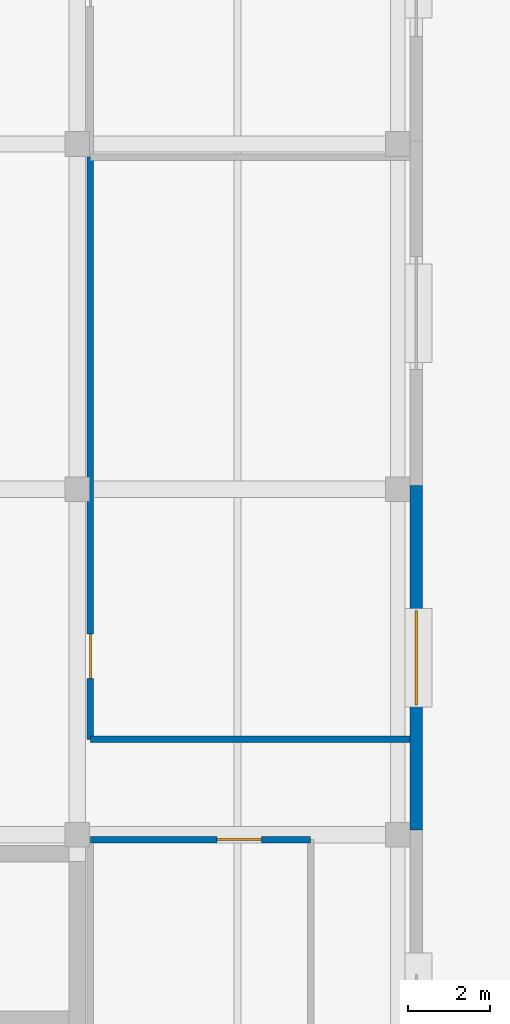
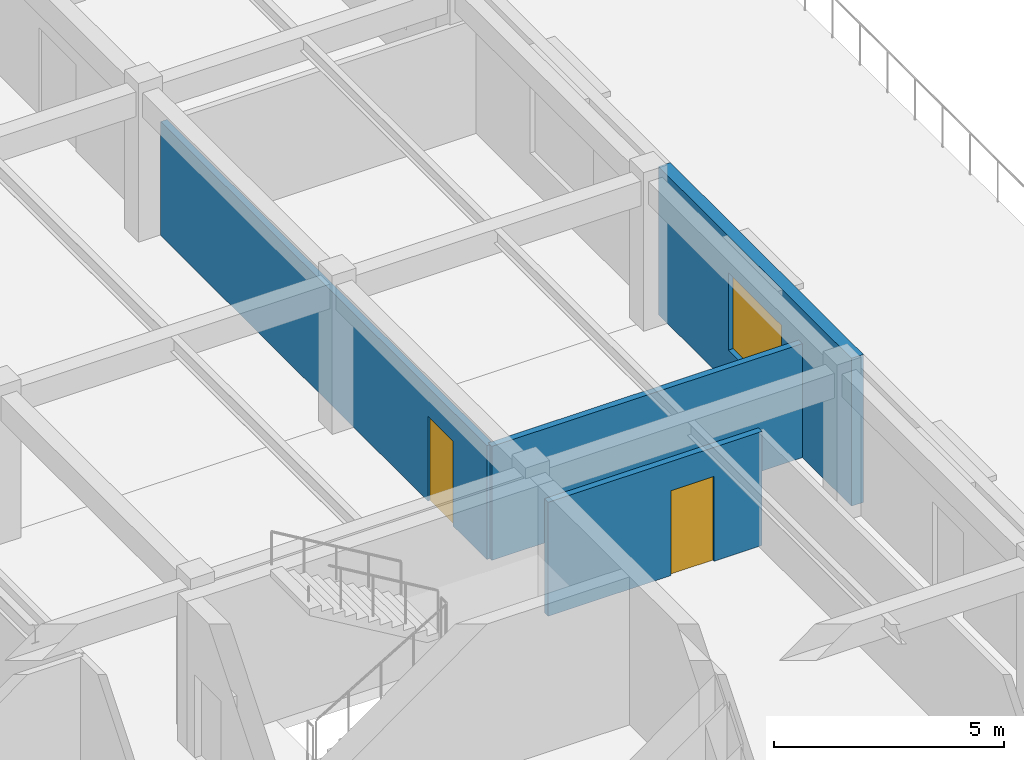
# One storey, part 105 of 127: 4 walls, 2 doors, 1 window, 3 openings.
"""IFC4 building model written with IfcOpenShell, lengths in metres."""

from ifc_helpers import new_model, si_unit, direction, frame, frame_2d, origin, place, context, subcontext, project, spatial, rectangle, extrude, material, layer, layer_set, type_object, element, fill, save


model = new_model("IFC4")

# Units and contexts
model_context = context("Model", 3, precision=1e-05, world=origin(), true_north=direction((0.0, 1.0)))
body_context = subcontext(model_context, "Body", "Model", "MODEL_VIEW")
ifc_project = project(units=[si_unit("LENGTHUNIT", "METRE"), si_unit("AREAUNIT", "SQUARE_METRE"), si_unit("VOLUMEUNIT", "CUBIC_METRE"), si_unit("PLANEANGLEUNIT", "RADIAN"), si_unit("MASSUNIT", "GRAM", prefix="KILO")], contexts=[model_context])

# Site, building, storey
site_placement = place(None, origin())
site = spatial("IfcSite", under=ifc_project, at=site_placement, CompositionType="ELEMENT")
building_placement = place(site_placement, origin())
building = spatial("IfcBuilding", under=site, at=building_placement, Name="Zayran Congress Hotel", CompositionType="ELEMENT")
storey_placement = place(building_placement, frame((0.0, 0.0, 10.800048828125)))
storey = spatial("IfcBuildingStorey", under=building, at=storey_placement, Name="L02", CompositionType="ELEMENT", Elevation=10.800048828125)

# Wall, opening, window
ifc_material_1 = material(Name="Ajlun white limestone and insulated concrete C32/40", Category="masonry")
ifc_layer_1 = layer(ifc_material_1, 0.300048828125)
ifc_layer_set_1 = layer_set([ifc_layer_1], Name="Ajlun white limestone and insulated concrete C32/40")
wall_type_1 = type_object("IfcWallType", Name="WL-EX-300", PredefinedType="SOLIDWALL", material=ifc_layer_set_1)
wall_1_placement = place(storey_placement, frame((134.25, 67.694091796875, 0.0), z_axis=(0.0, 0.0, 1.0), x_axis=(0.0, -1.0, 0.0)))
wall_1 = element("IfcWall", 1, at=wall_1_placement, inside=storey, type_object=wall_type_1, Name="EW-V4-E-L02-2", PredefinedType="SOLIDWALL", context=body_context, shape_type="SweptSolid", body=[
    extrude(rectangle(XDim=8.382080078125, YDim=0.300048828125, at=frame_2d((4.19091796875, 0.0))), origin(), (0.0, 0.0, 1.0), 3.919921875),
])
opening_1_placement = place(wall_1_placement, frame((3.041015625, 0.0, 0.89990234375)))
opening_1 = element("IfcOpeningElement", 2, at=opening_1_placement, cuts=wall_1, Name="Opening WN-28", PredefinedType="OPENING", context=body_context, shape_type="SweptSolid", body=[
    extrude(rectangle(XDim=2.300048828125, YDim=2.050048828125, at=frame_2d((1.14990234375, 1.02490234375))), frame((0.0, 0.159912109375, 0.0), z_axis=(0.0, -1.0, 0.0), x_axis=(1.0, 0.0, 0.0)), (0.0, 0.0, 1.0), 0.320068359375),
])
ifc_material_2 = material(Name="Anodised aluminium and low-E insulated glass", Category="aluminium")
window_type = type_object("IfcWindowType", Name="TP-WN-28", PartitioningType="DOUBLE_PANEL_VERTICAL", PredefinedType="WINDOW", material=ifc_material_2)
window_placement = place(opening_1_placement, origin())
window = element("IfcWindow", 3, at=window_placement, inside=storey, type_object=window_type, Name="WIN-V4-0141", OverallHeight=2.050048828125, OverallWidth=2.300048828125, PartitioningType="SINGLE_PANEL", PredefinedType="WINDOW", context=body_context, shape_type="SweptSolid", body=[
    extrude(rectangle(XDim=2.300048828125, YDim=2.050048828125, at=frame_2d((1.14990234375, 1.02490234375))), frame((0.0, 0.030029296875, 0.0), z_axis=(0.0, -1.0, 0.0), x_axis=(1.0, 0.0, 0.0)), (0.0, 0.0, 1.0), 0.06005859375),
])
fill(opening_1, window)

# Wall, opening, door
ifc_material_3 = material(Name="Acoustic twin-stud gypsum partition", Category="gypsum")
ifc_layer_2 = layer(ifc_material_3, 0.159912109375)
ifc_layer_set_2 = layer_set([ifc_layer_2], Name="Acoustic twin-stud gypsum partition")
wall_type_2 = type_object("IfcWallType", Name="WL-PT-160", PredefinedType="PARTITIONING", material=ifc_layer_set_2)
wall_2_placement = place(storey_placement, frame((126.320068359375, 59.080078125, 0.0), z_axis=(0.0, 0.0, 1.0), x_axis=(1.0, 0.0, 0.0)))
wall_2 = element("IfcWall", 4, at=wall_2_placement, inside=storey, type_object=wall_type_2, Name="IW-L02-0505", PredefinedType="PARTITIONING", context=body_context, shape_type="SweptSolid", body=[
    extrude(rectangle(XDim=5.35986328125, YDim=0.159912109375, at=frame_2d((2.679931640625, 0.0))), origin(), (0.0, 0.0, 1.0), 3.02001953125),
])
opening_2_placement = place(wall_2_placement, frame((3.0791015625, 0.0, 0.0)))
opening_2 = element("IfcOpeningElement", 5, at=opening_2_placement, cuts=wall_2, Name="Opening DR-MT-01", PredefinedType="OPENING", context=body_context, shape_type="SweptSolid", body=[
    extrude(rectangle(XDim=1.080078125, YDim=2.25, at=frame_2d((0.5400390625, 1.125))), frame((0.0, 0.08984375, 0.0), z_axis=(0.0, -1.0, 0.0), x_axis=(1.0, 0.0, 0.0)), (0.0, 0.0, 1.0), 0.179931640625),
])
ifc_material_4 = material(Name="Acoustic timber seminar room door", Category="wood")
door_type = type_object("IfcDoorType", Name="TP-DR-MT-01", OperationType="NOTDEFINED", PredefinedType="DOOR", material=ifc_material_4)
door_1_placement = place(opening_2_placement, origin())
door_1 = element("IfcDoor", 6, at=door_1_placement, inside=storey, type_object=door_type, Name="Meeting Room East L02-02 Door", OperationType="SINGLE_SWING_RIGHT", OverallHeight=2.25, OverallWidth=1.080078125, PredefinedType="DOOR", context=body_context, shape_type="SweptSolid", body=[
    extrude(rectangle(XDim=1.080078125, YDim=2.25, at=frame_2d((0.5400390625, 1.125))), frame((0.0, 0.02490234375, 0.0), z_axis=(0.0, -1.0, 0.0), x_axis=(1.0, 0.0, 0.0)), (0.0, 0.0, 1.0), 0.050048828125),
])
fill(opening_2, door_1)

wall_3_placement = place(storey_placement, frame((126.320068359375, 61.52001953125, 0.0), z_axis=(0.0, 0.0, 1.0), x_axis=(0.0, 1.0, 0.0)))
wall_3 = element("IfcWall", 7, at=wall_3_placement, inside=storey, type_object=wall_type_2, Name="IW-L02-0507", PredefinedType="PARTITIONING", context=body_context, shape_type="SweptSolid", body=[
    extrude(rectangle(XDim=14.159912109375, YDim=0.159912109375, at=frame_2d((7.080078125, 0.0))), origin(), (0.0, 0.0, 1.0), 3.02001953125),
])
opening_3_placement = place(wall_3_placement, frame((1.47998046875, 0.0, 0.0)))
opening_3 = element("IfcOpeningElement", 8, at=opening_3_placement, cuts=wall_3, Name="Opening DR-MT-01", PredefinedType="OPENING", context=body_context, shape_type="SweptSolid", body=[
    extrude(rectangle(XDim=1.080078125, YDim=2.25, at=frame_2d((0.5400390625, 1.125))), frame((0.0, 0.08984375, 0.0), z_axis=(0.0, -1.0, 0.0), x_axis=(1.0, 0.0, 0.0)), (0.0, 0.0, 1.0), 0.179931640625),
])
door_2_placement = place(opening_3_placement, origin())
door_2 = element("IfcDoor", 9, at=door_2_placement, inside=storey, type_object=door_type, Name="Meeting Room East L02-03 Door", OperationType="SINGLE_SWING_LEFT", OverallHeight=2.25, OverallWidth=1.080078125, PredefinedType="DOOR", context=body_context, shape_type="SweptSolid", body=[
    extrude(rectangle(XDim=1.080078125, YDim=2.25, at=frame_2d((0.5400390625, 1.125))), frame((0.0, 0.02490234375, 0.0), z_axis=(0.0, -1.0, 0.0), x_axis=(1.0, 0.0, 0.0)), (0.0, 0.0, 1.0), 0.050048828125),
])
fill(opening_3, door_2)

# Wall
wall_4_placement = place(storey_placement, frame((126.320068359375, 61.52001953125, 0.0), z_axis=(0.0, 0.0, 1.0), x_axis=(1.0, 0.0, 0.0)))
element("IfcWall", 10, at=wall_4_placement, inside=storey, type_object=wall_type_2, Name="IW-L02-1818", PredefinedType="PARTITIONING", context=body_context, shape_type="SweptSolid", body=[
    extrude(rectangle(XDim=7.780029296875, YDim=0.159912109375, at=frame_2d((3.89013671875, 0.0))), origin(), (0.0, 0.0, 1.0), 3.02001953125),
])

save(model, "model.ifc")
